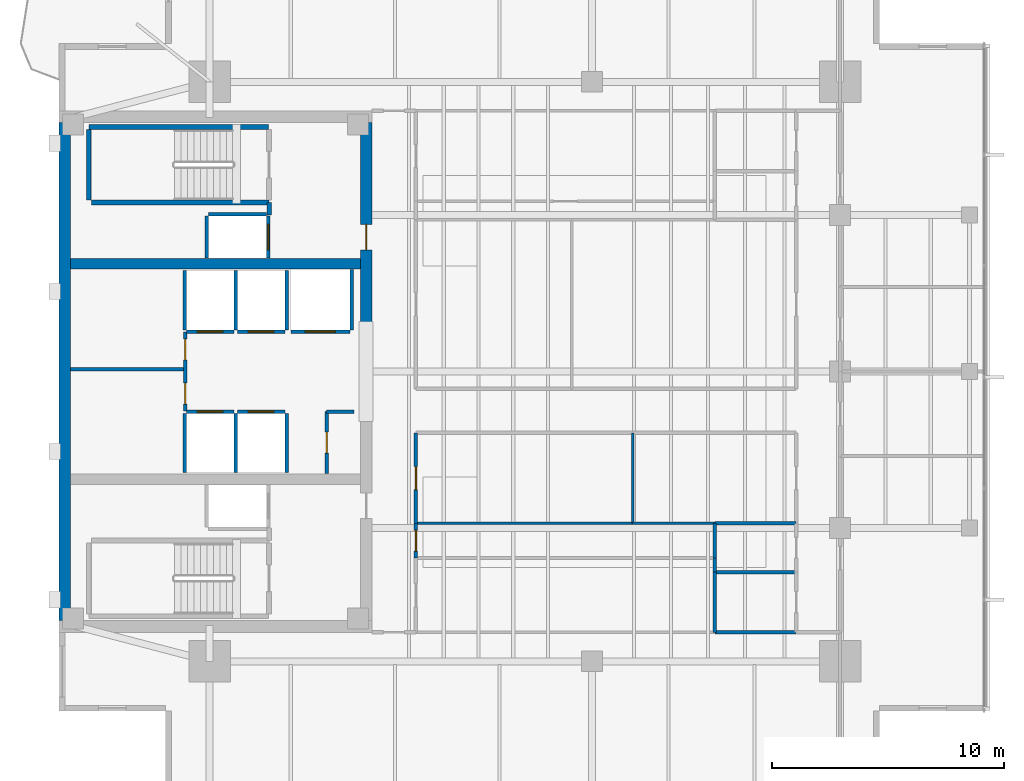
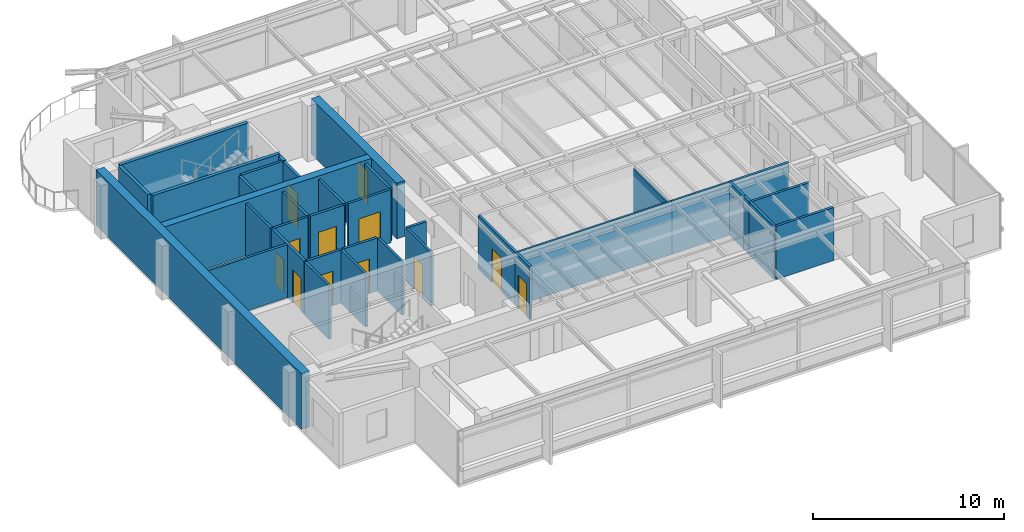
# One storey, part 8 of 14: 37 walls, 12 doors, 12 openings.
"""IFC4 building model written with IfcOpenShell, lengths in metres."""

from ifc_helpers import new_model, si_unit, direction, frame, frame_2d, origin, place, context, subcontext, project, spatial, rectangle, extrude, material, layer, layer_set, type_object, element, fill, save


model = new_model("IFC4")

# Units and contexts
model_context = context("Model", 3, precision=1e-05, world=origin(), true_north=direction((0.0, 1.0)))
body_context = subcontext(model_context, "Body", "Model", "MODEL_VIEW")
ifc_project = project(units=[si_unit("LENGTHUNIT", "METRE"), si_unit("AREAUNIT", "SQUARE_METRE"), si_unit("VOLUMEUNIT", "CUBIC_METRE"), si_unit("PLANEANGLEUNIT", "RADIAN"), si_unit("MASSUNIT", "GRAM", prefix="KILO")], contexts=[model_context])

# Site, building, storey
site_placement = place(None, origin())
site = spatial("IfcSite", under=ifc_project, at=site_placement, CompositionType="ELEMENT")
building_placement = place(site_placement, origin())
building = spatial("IfcBuilding", under=site, at=building_placement, Name="Kinhvarn Gate Tower", CompositionType="ELEMENT")
storey_placement = place(building_placement, frame((0.0, 0.0, 256.35009765625)))
storey = spatial("IfcBuildingStorey", under=building, at=storey_placement, Name="L68", CompositionType="ELEMENT", Elevation=256.35009765625)

# Wall
ifc_material_1 = material(Name="Concrete C50/60", Category="concrete")
ifc_layer_1 = layer(ifc_material_1, 0.449951171875)
ifc_layer_set_1 = layer_set([ifc_layer_1], Name="Concrete C50/60")
wall_type_1 = type_object("IfcWallType", Name="WL-CORE-450", PredefinedType="SHEAR", material=ifc_layer_set_1)
wall_1_placement = place(storey_placement, frame((5.0, 29.89990234375, 0.0), z_axis=(0.0, 0.0, 1.0), x_axis=(1.0, 0.0, 0.0)))
element("IfcWall", 1, at=wall_1_placement, inside=storey, type_object=wall_type_1, Name="Core North Spine Shear Wall L68 450 mm", PredefinedType="SHEAR", context=body_context, shape_type="SweptSolid", body=[
    extrude(rectangle(XDim=12.5, YDim=0.449951171875, at=frame_2d((6.25, 0.0))), origin(), (0.0, 0.0, 1.0), 3.5498046875),
])

# Wall, opening, door
ifc_layer_2 = layer(ifc_material_1, 0.5)
ifc_layer_set_2 = layer_set([ifc_layer_2], Name="Concrete C50/60")
wall_type_2 = type_object("IfcWallType", Name="WL-CORE-500", PredefinedType="SHEAR", material=ifc_layer_set_2)
wall_2_placement = place(storey_placement, frame((17.75, 27.050048828125, 0.0), z_axis=(0.0, 0.0, 1.0), x_axis=(0.0, 1.0, 0.0)))
wall_2 = element("IfcWall", 2, at=wall_2_placement, inside=storey, type_object=wall_type_2, Name="Core East-North Shear Pier L68 500 mm", PredefinedType="SHEAR", context=body_context, shape_type="SweptSolid", body=[
    extrude(rectangle(XDim=8.949951171875, YDim=0.5, at=frame_2d((4.47509765625, 0.0))), origin(), (0.0, 0.0, 1.0), 3.5498046875),
])
opening_1_placement = place(wall_2_placement, frame((3.449951171875, 0.0, 0.0)))
opening_1 = element("IfcOpeningElement", 3, at=opening_1_placement, cuts=wall_2, Name="Opening FD-02", PredefinedType="OPENING", context=body_context, shape_type="SweptSolid", body=[
    extrude(rectangle(XDim=1.10009765625, YDim=2.14990234375, at=frame_2d((0.550048828125, 1.074951171875))), frame((0.0, 0.260009765625, 0.0), z_axis=(0.0, -1.0, 0.0), x_axis=(1.0, 0.0, 0.0)), (0.0, 0.0, 1.0), 0.52001953125),
])
ifc_material_2 = material(Name="Anodised aluminium AW-6063", Category="aluminium")
door_type_1 = type_object("IfcDoorType", Name="DR-FD-1100", OperationType="NOTDEFINED", PredefinedType="DOOR", material=ifc_material_2)
door_1_placement = place(opening_1_placement, origin())
door_1 = element("IfcDoor", 4, at=door_1_placement, inside=storey, type_object=door_type_1, Name="Firefighting Lobby Core Door (L68)", OperationType="SINGLE_SWING_LEFT", OverallHeight=2.14990234375, OverallWidth=1.10009765625, PredefinedType="DOOR", context=body_context, shape_type="SweptSolid", body=[
    extrude(rectangle(XDim=1.10009765625, YDim=2.14990234375, at=frame_2d((0.550048828125, 1.074951171875))), frame((0.0, 0.02490234375, 0.0), z_axis=(0.0, -1.0, 0.0), x_axis=(1.0, 0.0, 0.0)), (0.0, 0.0, 1.0), 0.050048828125),
])
fill(opening_1, door_1)

# Walls
ifc_layer_3 = layer(ifc_material_1, 0.5)
ifc_layer_set_3 = layer_set([ifc_layer_3], Name="Concrete C50/60")
wall_type_3 = type_object("IfcWallType", Name="WL-COREX-500", PredefinedType="SHEAR", material=ifc_layer_set_3)
wall_3_placement = place(storey_placement, frame((4.75, 14.5, 0.0), z_axis=(0.0, 0.0, 1.0), x_axis=(0.0, 1.0, 0.0)))
element("IfcWall", 5, at=wall_3_placement, inside=storey, type_object=wall_type_3, Name="Core West Shear Wall L68 500 mm", PredefinedType="SHEAR", context=body_context, shape_type="SweptSolid", body=[
    extrude(rectangle(XDim=21.5, YDim=0.5, at=frame_2d((10.75, 0.0))), origin(), (0.0, 0.0, 1.0), 3.5498046875),
])
ifc_material_3 = material(Name="Gypsum acoustic partition board")
ifc_layer_4 = layer(ifc_material_3, 0.14990234375)
ifc_layer_set_4 = layer_set([ifc_layer_4], Name="Gypsum acoustic partition board")
wall_type_4 = type_object("IfcWallType", Name="WL-PLM-150", PredefinedType="PLUMBINGWALL", material=ifc_layer_set_4)
wall_4_placement = place(storey_placement, frame((32.800048828125, 16.60009765625, 0.0), z_axis=(0.0, 0.0, 1.0), x_axis=(1.0, 0.0, 0.0)))
element("IfcWall", 6, at=wall_4_placement, inside=storey, type_object=wall_type_4, Name="Interior Partition PLW-150 (L68)", PredefinedType="PLUMBINGWALL", context=body_context, shape_type="SweptSolid", body=[
    extrude(rectangle(XDim=3.5, YDim=0.14990234375, at=frame_2d((1.75, 0.0))), origin(), (0.0, 0.0, 1.0), 3.389892578125),
])
wall_5_placement = place(storey_placement, frame((32.800048828125, 14.0, 0.0), z_axis=(0.0, 0.0, 1.0), x_axis=(0.0, 1.0, 0.0)))
element("IfcWall", 7, at=wall_5_placement, inside=storey, type_object=wall_type_4, Name="Interior Partition PLW-150 (L68)", PredefinedType="PLUMBINGWALL", context=body_context, shape_type="SweptSolid", body=[
    extrude(rectangle(XDim=2.60009765625, YDim=0.14990234375, at=frame_2d((1.300048828125, 0.0))), origin(), (0.0, 0.0, 1.0), 3.389892578125),
])
wall_6_placement = place(storey_placement, frame((32.800048828125, 14.0, 0.0), z_axis=(0.0, 0.0, 1.0), x_axis=(1.0, 0.0, 0.0)))
element("IfcWall", 8, at=wall_6_placement, inside=storey, type_object=wall_type_4, Name="Interior Partition PLW-150 (L68)", PredefinedType="PLUMBINGWALL", context=body_context, shape_type="SweptSolid", body=[
    extrude(rectangle(XDim=3.5, YDim=0.14990234375, at=frame_2d((1.75, 0.0))), origin(), (0.0, 0.0, 1.0), 3.389892578125),
])
wall_7_placement = place(storey_placement, frame((32.800048828125, 16.60009765625, 0.0), z_axis=(0.0, 0.0, 1.0), x_axis=(0.0, 1.0, 0.0)))
element("IfcWall", 9, at=wall_7_placement, inside=storey, type_object=wall_type_4, Name="Interior Partition PLW-150 (L68)", PredefinedType="PLUMBINGWALL", context=body_context, shape_type="SweptSolid", body=[
    extrude(rectangle(XDim=0.599853515625, YDim=0.14990234375, at=frame_2d((0.2998046875, 0.0))), origin(), (0.0, 0.0, 1.0), 3.389892578125),
])
wall_8_placement = place(storey_placement, frame((32.800048828125, 17.199951171875, 0.0), z_axis=(0.0, 0.0, 1.0), x_axis=(0.0, 1.0, 0.0)))
element("IfcWall", 10, at=wall_8_placement, inside=storey, type_object=wall_type_4, Name="Interior Partition PLW-150 (L68)", PredefinedType="PLUMBINGWALL", context=body_context, shape_type="SweptSolid", body=[
    extrude(rectangle(XDim=1.5, YDim=0.14990234375, at=frame_2d((0.75, 0.0))), origin(), (0.0, 0.0, 1.0), 3.389892578125),
])
wall_9_placement = place(storey_placement, frame((32.800048828125, 18.699951171875, 0.0), z_axis=(0.0, 0.0, 1.0), x_axis=(1.0, 0.0, 0.0)))
element("IfcWall", 11, at=wall_9_placement, inside=storey, type_object=wall_type_4, Name="Interior Partition PLW-150 (L68)", PredefinedType="PLUMBINGWALL", context=body_context, shape_type="SweptSolid", body=[
    extrude(rectangle(XDim=3.5, YDim=0.14990234375, at=frame_2d((1.75, 0.0))), origin(), (0.0, 0.0, 1.0), 3.389892578125),
])
ifc_layer_5 = layer(ifc_material_3, 0.1201171875)
ifc_layer_set_5 = layer_set([ifc_layer_5], Name="Gypsum acoustic partition board")
wall_type_5 = type_object("IfcWallType", Name="WL-PRT-120", PredefinedType="PARTITIONING", material=ifc_layer_set_5)
wall_10_placement = place(storey_placement, frame((19.89990234375, 18.699951171875, 0.0), z_axis=(0.0, 0.0, 1.0), x_axis=(1.0, 0.0, 0.0)))
element("IfcWall", 12, at=wall_10_placement, inside=storey, type_object=wall_type_5, Name="Interior Partition PW-120 (L68)", PredefinedType="PARTITIONING", context=body_context, shape_type="SweptSolid", body=[
    extrude(rectangle(XDim=9.35009765625, YDim=0.1201171875, at=frame_2d((4.675048828125, 0.0))), origin(), (0.0, 0.0, 1.0), 3.389892578125),
])
wall_11_placement = place(storey_placement, frame((29.25, 18.699951171875, 0.0), z_axis=(0.0, 0.0, 1.0), x_axis=(1.0, 0.0, 0.0)))
element("IfcWall", 13, at=wall_11_placement, inside=storey, type_object=wall_type_5, Name="Interior Partition PW-120 (L68)", PredefinedType="PARTITIONING", context=body_context, shape_type="SweptSolid", body=[
    extrude(rectangle(XDim=3.550048828125, YDim=0.1201171875, at=frame_2d((1.77490234375, 0.0))), origin(), (0.0, 0.0, 1.0), 3.389892578125),
])
wall_12_placement = place(storey_placement, frame((29.25, 18.699951171875, 0.0), z_axis=(0.0, 0.0, 1.0), x_axis=(0.0, 1.0, 0.0)))
element("IfcWall", 14, at=wall_12_placement, inside=storey, type_object=wall_type_5, Name="Interior Partition PW-120 (L68)", PredefinedType="PARTITIONING", context=body_context, shape_type="SweptSolid", body=[
    extrude(rectangle(XDim=3.900146484375, YDim=0.1201171875, at=frame_2d((1.9501953125, 0.0))), origin(), (0.0, 0.0, 1.0), 3.119873046875),
])
ifc_layer_6 = layer(ifc_material_3, 0.14990234375)
ifc_layer_set_6 = layer_set([ifc_layer_6], Name="Gypsum acoustic partition board")
wall_type_6 = type_object("IfcWallType", Name="WL-PRT-150F", PredefinedType="PARTITIONING", material=ifc_layer_set_6)
wall_13_placement = place(storey_placement, frame((5.0, 25.35009765625, 0.0), z_axis=(0.0, 0.0, 1.0), x_axis=(1.0, 0.0, 0.0)))
element("IfcWall", 15, at=wall_13_placement, inside=storey, type_object=wall_type_6, Name="Interior Partition PW-150F (L68)", PredefinedType="PARTITIONING", context=body_context, shape_type="SweptSolid", body=[
    extrude(rectangle(XDim=4.949951171875, YDim=0.14990234375, at=frame_2d((2.47509765625, 0.0))), origin(), (0.0, 0.0, 1.0), 3.389892578125),
])

# Wall, openings, doors
wall_14_placement = place(storey_placement, frame((9.949951171875, 23.550048828125, 0.0), z_axis=(0.0, 0.0, 1.0), x_axis=(0.0, 1.0, 0.0)))
wall_14 = element("IfcWall", 16, at=wall_14_placement, inside=storey, type_object=wall_type_6, Name="Interior Partition PW-150F (L68)", PredefinedType="PARTITIONING", context=body_context, shape_type="SweptSolid", body=[
    extrude(rectangle(XDim=3.39990234375, YDim=0.14990234375, at=frame_2d((1.699951171875, 0.0))), origin(), (0.0, 0.0, 1.0), 3.389892578125),
])
opening_2_placement = place(wall_14_placement, frame((0.298095703125, 0.0, 0.0)))
opening_2 = element("IfcOpeningElement", 17, at=opening_2_placement, cuts=wall_14, Name="Opening FD-04", PredefinedType="OPENING", context=body_context, shape_type="SweptSolid", body=[
    extrude(rectangle(XDim=0.89990234375, YDim=2.10009765625, at=frame_2d((0.449951171875, 1.050048828125))), frame((0.0, 0.0849609375, 0.0), z_axis=(0.0, -1.0, 0.0), x_axis=(1.0, 0.0, 0.0)), (0.0, 0.0, 1.0), 0.169921875),
])
opening_3_placement = place(wall_14_placement, frame((2.201904296875, 0.0, 0.0)))
opening_3 = element("IfcOpeningElement", 18, at=opening_3_placement, cuts=wall_14, Name="Opening FD-04", PredefinedType="OPENING", context=body_context, shape_type="SweptSolid", body=[
    extrude(rectangle(XDim=0.89990234375, YDim=2.10009765625, at=frame_2d((0.449951171875, 1.050048828125))), frame((0.0, 0.0849609375, 0.0), z_axis=(0.0, -1.0, 0.0), x_axis=(1.0, 0.0, 0.0)), (0.0, 0.0, 1.0), 0.169921875),
])
door_type_2 = type_object("IfcDoorType", Name="DR-FD-900", OperationType="NOTDEFINED", PredefinedType="DOOR", material=ifc_material_2)
door_2_placement = place(opening_2_placement, origin())
door_2 = element("IfcDoor", 19, at=door_2_placement, inside=storey, type_object=door_type_2, Name="Rated Riser & Service Closet Fire Door 900x2100 mm (L68)", OperationType="SINGLE_SWING_LEFT", OverallHeight=2.10009765625, OverallWidth=0.89990234375, PredefinedType="DOOR", context=body_context, shape_type="SweptSolid", body=[
    extrude(rectangle(XDim=0.89990234375, YDim=2.10009765625, at=frame_2d((0.449951171875, 1.050048828125))), frame((0.0, 0.02490234375, 0.0), z_axis=(0.0, -1.0, 0.0), x_axis=(1.0, 0.0, 0.0)), (0.0, 0.0, 1.0), 0.050048828125),
])
fill(opening_2, door_2)
door_3_placement = place(opening_3_placement, origin())
door_3 = element("IfcDoor", 20, at=door_3_placement, inside=storey, type_object=door_type_2, Name="Rated Riser & Service Closet Fire Door 900x2100 mm (L68)", OperationType="SINGLE_SWING_RIGHT", OverallHeight=2.10009765625, OverallWidth=0.89990234375, PredefinedType="DOOR", context=body_context, shape_type="SweptSolid", body=[
    extrude(rectangle(XDim=0.89990234375, YDim=2.10009765625, at=frame_2d((0.449951171875, 1.050048828125))), frame((0.0, 0.02490234375, 0.0), z_axis=(0.0, -1.0, 0.0), x_axis=(1.0, 0.0, 0.0)), (0.0, 0.0, 1.0), 0.050048828125),
])
fill(opening_3, door_3)

# Wall, opening, door
wall_15_placement = place(storey_placement, frame((16.050048828125, 20.85009765625, 0.0), z_axis=(0.0, 0.0, 1.0), x_axis=(0.0, 1.0, 0.0)))
wall_15 = element("IfcWall", 21, at=wall_15_placement, inside=storey, type_object=wall_type_6, Name="Interior Partition PW-150F (L68)", PredefinedType="PARTITIONING", context=body_context, shape_type="SweptSolid", body=[
    extrude(rectangle(XDim=2.669921875, YDim=0.14990234375, at=frame_2d((1.3349609375, 0.0))), origin(), (0.0, 0.0, 1.0), 3.389892578125),
])
opening_4_placement = place(wall_15_placement, frame((0.885009765625, 0.0, 0.0)))
opening_4 = element("IfcOpeningElement", 22, at=opening_4_placement, cuts=wall_15, Name="Opening FD-04", PredefinedType="OPENING", context=body_context, shape_type="SweptSolid", body=[
    extrude(rectangle(XDim=0.89990234375, YDim=2.10009765625, at=frame_2d((0.449951171875, 1.050048828125))), frame((0.0, 0.0849609375, 0.0), z_axis=(0.0, -1.0, 0.0), x_axis=(1.0, 0.0, 0.0)), (0.0, 0.0, 1.0), 0.169921875),
])
door_4_placement = place(opening_4_placement, origin())
door_4 = element("IfcDoor", 23, at=door_4_placement, inside=storey, type_object=door_type_2, Name="Rated Riser & Service Closet Fire Door 900x2100 mm (L68)", OperationType="SINGLE_SWING_LEFT", OverallHeight=2.10009765625, OverallWidth=0.89990234375, PredefinedType="DOOR", context=body_context, shape_type="SweptSolid", body=[
    extrude(rectangle(XDim=0.89990234375, YDim=2.10009765625, at=frame_2d((0.449951171875, 1.050048828125))), frame((0.0, 0.02490234375, 0.0), z_axis=(0.0, -1.0, 0.0), x_axis=(1.0, 0.0, 0.0)), (0.0, 0.0, 1.0), 0.050048828125),
])
fill(opening_4, door_4)

# Wall
wall_16_placement = place(storey_placement, frame((16.050048828125, 23.52001953125, 0.0), z_axis=(0.0, 0.0, 1.0), x_axis=(1.0, 0.0, 0.0)))
element("IfcWall", 24, at=wall_16_placement, inside=storey, type_object=wall_type_6, Name="Interior Partition PW-150F (L68)", PredefinedType="PARTITIONING", context=body_context, shape_type="SweptSolid", body=[
    extrude(rectangle(XDim=1.169921875, YDim=0.14990234375, at=frame_2d((0.5849609375, 0.0))), origin(), (0.0, 0.0, 1.0), 3.389892578125),
])

# Wall, opening, door
wall_17_placement = place(storey_placement, frame((19.89990234375, 17.199951171875, 0.0), z_axis=(0.0, 0.0, 1.0), x_axis=(0.0, 1.0, 0.0)))
wall_17 = element("IfcWall", 25, at=wall_17_placement, inside=storey, type_object=wall_type_6, Name="Interior Partition PW-150F (L68)", PredefinedType="PARTITIONING", context=body_context, shape_type="SweptSolid", body=[
    extrude(rectangle(XDim=1.5, YDim=0.14990234375, at=frame_2d((0.75, 0.0))), origin(), (0.0, 0.0, 1.0), 3.389892578125),
])
opening_5_placement = place(wall_17_placement, frame((0.300048828125, 0.0, 0.0)))
opening_5 = element("IfcOpeningElement", 26, at=opening_5_placement, cuts=wall_17, Name="Opening ID-03", PredefinedType="OPENING", context=body_context, shape_type="SweptSolid", body=[
    extrude(rectangle(XDim=0.89990234375, YDim=2.10009765625, at=frame_2d((0.449951171875, 1.050048828125))), frame((0.0, 0.0849609375, 0.0), z_axis=(0.0, -1.0, 0.0), x_axis=(1.0, 0.0, 0.0)), (0.0, 0.0, 1.0), 0.169921875),
])
door_type_3 = type_object("IfcDoorType", Name="DR-INT-900", OperationType="NOTDEFINED", PredefinedType="DOOR", material=ifc_material_2)
door_5_placement = place(opening_5_placement, origin())
door_5 = element("IfcDoor", 27, at=door_5_placement, inside=storey, type_object=door_type_3, Name="Cellular Office & Restroom Door 900x2100 mm (L68)", OperationType="SINGLE_SWING_LEFT", OverallHeight=2.10009765625, OverallWidth=0.89990234375, PredefinedType="DOOR", context=body_context, shape_type="SweptSolid", body=[
    extrude(rectangle(XDim=0.89990234375, YDim=2.10009765625, at=frame_2d((0.449951171875, 1.050048828125))), frame((0.0, 0.02490234375, 0.0), z_axis=(0.0, -1.0, 0.0), x_axis=(1.0, 0.0, 0.0)), (0.0, 0.0, 1.0), 0.050048828125),
])
fill(opening_5, door_5)

wall_18_placement = place(storey_placement, frame((19.89990234375, 18.699951171875, 0.0), z_axis=(0.0, 0.0, 1.0), x_axis=(0.0, 1.0, 0.0)))
wall_18 = element("IfcWall", 28, at=wall_18_placement, inside=storey, type_object=wall_type_6, Name="Interior Partition PW-150F (L68)", PredefinedType="PARTITIONING", context=body_context, shape_type="SweptSolid", body=[
    extrude(rectangle(XDim=3.900146484375, YDim=0.14990234375, at=frame_2d((1.9501953125, 0.0))), origin(), (0.0, 0.0, 1.0), 3.389892578125),
])
opening_6_placement = place(wall_18_placement, frame((1.449951171875, 0.0, 0.0)))
opening_6 = element("IfcOpeningElement", 29, at=opening_6_placement, cuts=wall_18, Name="Opening ID-02", PredefinedType="OPENING", context=body_context, shape_type="SweptSolid", body=[
    extrude(rectangle(XDim=1.0, YDim=2.14990234375, at=frame_2d((0.5, 1.074951171875))), frame((0.0, 0.0849609375, 0.0), z_axis=(0.0, -1.0, 0.0), x_axis=(1.0, 0.0, 0.0)), (0.0, 0.0, 1.0), 0.169921875),
])
door_type_4 = type_object("IfcDoorType", Name="DR-INT-1000", OperationType="NOTDEFINED", PredefinedType="DOOR", material=ifc_material_2)
door_6_placement = place(opening_6_placement, origin())
door_6 = element("IfcDoor", 30, at=door_6_placement, inside=storey, type_object=door_type_4, Name="Standard Office & Meeting Room Door 1000x2150 mm (L68)", OperationType="SINGLE_SWING_LEFT", OverallHeight=2.14990234375, OverallWidth=1.0, PredefinedType="DOOR", context=body_context, shape_type="SweptSolid", body=[
    extrude(rectangle(XDim=1.0, YDim=2.14990234375, at=frame_2d((0.5, 1.074951171875))), frame((0.0, 0.02490234375, 0.0), z_axis=(0.0, -1.0, 0.0), x_axis=(1.0, 0.0, 0.0)), (0.0, 0.0, 1.0), 0.050048828125),
])
fill(opening_6, door_6)

# Wall
ifc_layer_7 = layer(ifc_material_3, 0.199951171875)
ifc_layer_set_7 = layer_set([ifc_layer_7], Name="Gypsum acoustic partition board")
wall_type_7 = type_object("IfcWallType", Name="WL-PRT-200", PredefinedType="PARTITIONING", material=ifc_layer_set_7)
wall_19_placement = place(storey_placement, frame((13.580078125, 32.0, 0.0), z_axis=(0.0, 0.0, 1.0), x_axis=(0.0, 1.0, 0.0)))
element("IfcWall", 31, at=wall_19_placement, inside=storey, type_object=wall_type_7, Name="Interior Partition PW-200 (L68)", PredefinedType="PARTITIONING", context=body_context, shape_type="SweptSolid", body=[
    extrude(rectangle(XDim=0.5400390625, YDim=0.199951171875, at=frame_2d((0.27001953125, 0.0))), origin(), (0.0, 0.0, 1.0), 3.389892578125),
])

# Wall, opening, door
ifc_layer_8 = layer(ifc_material_3, 0.14990234375)
ifc_layer_set_8 = layer_set([ifc_layer_8], Name="Gypsum acoustic partition board")
wall_type_8 = type_object("IfcWallType", Name="WL-SHF-150", PredefinedType="PARTITIONING", material=ifc_layer_set_8)
wall_20_placement = place(storey_placement, frame((10.0, 23.52490234375, 0.0), z_axis=(0.0, 0.0, 1.0), x_axis=(1.0, 0.0, 0.0)))
wall_20 = element("IfcWall", 32, at=wall_20_placement, inside=storey, type_object=wall_type_8, Name="Elevator PH-09 Landing Wall (L68)", PredefinedType="PARTITIONING", context=body_context, shape_type="SweptSolid", body=[
    extrude(rectangle(XDim=2.050048828125, YDim=0.14990234375, at=frame_2d((1.02490234375, 0.0))), origin(), (0.0, 0.0, 1.0), 3.389892578125),
])
opening_7_placement = place(wall_20_placement, frame((0.47509765625, 0.0, 0.0)))
opening_7 = element("IfcOpeningElement", 33, at=opening_7_placement, cuts=wall_20, Name="Opening LD-01", PredefinedType="OPENING", context=body_context, shape_type="SweptSolid", body=[
    extrude(rectangle(XDim=1.10009765625, YDim=2.199951171875, at=frame_2d((0.550048828125, 1.10009765625))), frame((0.0, 0.0849609375, 0.0), z_axis=(0.0, -1.0, 0.0), x_axis=(1.0, 0.0, 0.0)), (0.0, 0.0, 1.0), 0.169921875),
])
door_type_5 = type_object("IfcDoorType", Name="DR-LND-PAS", OperationType="NOTDEFINED", PredefinedType="DOOR", material=ifc_material_2)
door_7_placement = place(opening_7_placement, origin())
door_7 = element("IfcDoor", 34, at=door_7_placement, inside=storey, type_object=door_type_5, Name="Elevator PH-09 Sliding Landing Door (L68)", OperationType="DOUBLE_DOOR_SLIDING", OverallHeight=2.199951171875, OverallWidth=1.10009765625, PredefinedType="DOOR", context=body_context, shape_type="SweptSolid", body=[
    extrude(rectangle(XDim=1.10009765625, YDim=2.199951171875, at=frame_2d((0.550048828125, 1.10009765625))), frame((0.0, 0.02490234375, 0.0), z_axis=(0.0, -1.0, 0.0), x_axis=(1.0, 0.0, 0.0)), (0.0, 0.0, 1.0), 0.050048828125),
])
fill(opening_7, door_7)

# Walls
for number, where, z_axis, x_axis, name in (
    (35, (9.925048828125, 20.89990234375, 0.0), (0.0, 0.0, 1.0), (0.0, 1.0, 0.0), "Elevator PH-09 Hoistway Wall W (L68)"),
    (36, (12.125, 20.89990234375, 0.0), (0.0, 0.0, 1.0), (0.0, 1.0, 0.0), "Elevator PH-09 Hoistway Wall E (L68)"),
):
    element("IfcWall", number, at=place(storey_placement, frame(where, z_axis=z_axis, x_axis=x_axis)), inside=storey, type_object=wall_type_8, Name=name, PredefinedType="PARTITIONING", context=body_context, shape_type="SweptSolid", body=[
        extrude(rectangle(XDim=2.550048828125, YDim=0.14990234375, at=frame_2d((1.27490234375, 0.0))), origin(), (0.0, 0.0, 1.0), 3.389892578125),
    ])

# Wall, opening, door
wall_21_placement = place(storey_placement, frame((12.199951171875, 23.52490234375, 0.0), z_axis=(0.0, 0.0, 1.0), x_axis=(1.0, 0.0, 0.0)))
wall_21 = element("IfcWall", 37, at=wall_21_placement, inside=storey, type_object=wall_type_8, Name="Elevator PH-10 Landing Wall (L68)", PredefinedType="PARTITIONING", context=body_context, shape_type="SweptSolid", body=[
    extrude(rectangle(XDim=2.050048828125, YDim=0.14990234375, at=frame_2d((1.02490234375, 0.0))), origin(), (0.0, 0.0, 1.0), 3.389892578125),
])
opening_8_placement = place(wall_21_placement, frame((0.47509765625, 0.0, 0.0)))
opening_8 = element("IfcOpeningElement", 38, at=opening_8_placement, cuts=wall_21, Name="Opening LD-01", PredefinedType="OPENING", context=body_context, shape_type="SweptSolid", body=[
    extrude(rectangle(XDim=1.10009765625, YDim=2.199951171875, at=frame_2d((0.550048828125, 1.10009765625))), frame((0.0, 0.0849609375, 0.0), z_axis=(0.0, -1.0, 0.0), x_axis=(1.0, 0.0, 0.0)), (0.0, 0.0, 1.0), 0.169921875),
])
door_8_placement = place(opening_8_placement, origin())
door_8 = element("IfcDoor", 39, at=door_8_placement, inside=storey, type_object=door_type_5, Name="Elevator PH-10 Sliding Landing Door (L68)", OperationType="DOUBLE_DOOR_SLIDING", OverallHeight=2.199951171875, OverallWidth=1.10009765625, PredefinedType="DOOR", context=body_context, shape_type="SweptSolid", body=[
    extrude(rectangle(XDim=1.10009765625, YDim=2.199951171875, at=frame_2d((0.550048828125, 1.10009765625))), frame((0.0, 0.02490234375, 0.0), z_axis=(0.0, -1.0, 0.0), x_axis=(1.0, 0.0, 0.0)), (0.0, 0.0, 1.0), 0.050048828125),
])
fill(opening_8, door_8)

# Wall
wall_22_placement = place(storey_placement, frame((14.324951171875, 20.89990234375, 0.0), z_axis=(0.0, 0.0, 1.0), x_axis=(0.0, 1.0, 0.0)))
element("IfcWall", 40, at=wall_22_placement, inside=storey, type_object=wall_type_8, Name="Elevator PH-10 Hoistway Wall E (L68)", PredefinedType="PARTITIONING", context=body_context, shape_type="SweptSolid", body=[
    extrude(rectangle(XDim=2.550048828125, YDim=0.14990234375, at=frame_2d((1.27490234375, 0.0))), origin(), (0.0, 0.0, 1.0), 3.389892578125),
])

# Wall, opening, door
wall_23_placement = place(storey_placement, frame((10.0, 26.97509765625, 0.0), z_axis=(0.0, 0.0, 1.0), x_axis=(1.0, 0.0, 0.0)))
wall_23 = element("IfcWall", 41, at=wall_23_placement, inside=storey, type_object=wall_type_8, Name="Elevator PH-11 Landing Wall (L68)", PredefinedType="PARTITIONING", context=body_context, shape_type="SweptSolid", body=[
    extrude(rectangle(XDim=2.050048828125, YDim=0.14990234375, at=frame_2d((1.02490234375, 0.0))), origin(), (0.0, 0.0, 1.0), 3.389892578125),
])
opening_9_placement = place(wall_23_placement, frame((0.47509765625, 0.0, 0.0)))
opening_9 = element("IfcOpeningElement", 42, at=opening_9_placement, cuts=wall_23, Name="Opening LD-01", PredefinedType="OPENING", context=body_context, shape_type="SweptSolid", body=[
    extrude(rectangle(XDim=1.10009765625, YDim=2.199951171875, at=frame_2d((0.550048828125, 1.10009765625))), frame((0.0, 0.0849609375, 0.0), z_axis=(0.0, -1.0, 0.0), x_axis=(1.0, 0.0, 0.0)), (0.0, 0.0, 1.0), 0.169921875),
])
door_9_placement = place(opening_9_placement, origin())
door_9 = element("IfcDoor", 43, at=door_9_placement, inside=storey, type_object=door_type_5, Name="Elevator PH-11 Sliding Landing Door (L68)", OperationType="DOUBLE_DOOR_SLIDING", OverallHeight=2.199951171875, OverallWidth=1.10009765625, PredefinedType="DOOR", context=body_context, shape_type="SweptSolid", body=[
    extrude(rectangle(XDim=1.10009765625, YDim=2.199951171875, at=frame_2d((0.550048828125, 1.10009765625))), frame((0.0, 0.02490234375, 0.0), z_axis=(0.0, -1.0, 0.0), x_axis=(1.0, 0.0, 0.0)), (0.0, 0.0, 1.0), 0.050048828125),
])
fill(opening_9, door_9)

# Walls
for number, where, z_axis, x_axis, name in (
    (44, (9.925048828125, 27.050048828125, 0.0), (0.0, 0.0, 1.0), (0.0, 1.0, 0.0), "Elevator PH-11 Hoistway Wall W (L68)"),
    (45, (12.125, 27.050048828125, 0.0), (0.0, 0.0, 1.0), (0.0, 1.0, 0.0), "Elevator PH-11 Hoistway Wall E (L68)"),
):
    element("IfcWall", number, at=place(storey_placement, frame(where, z_axis=z_axis, x_axis=x_axis)), inside=storey, type_object=wall_type_8, Name=name, PredefinedType="PARTITIONING", context=body_context, shape_type="SweptSolid", body=[
        extrude(rectangle(XDim=2.550048828125, YDim=0.14990234375, at=frame_2d((1.27490234375, 0.0))), origin(), (0.0, 0.0, 1.0), 3.389892578125),
    ])

# Wall, opening, door
wall_24_placement = place(storey_placement, frame((12.199951171875, 26.97509765625, 0.0), z_axis=(0.0, 0.0, 1.0), x_axis=(1.0, 0.0, 0.0)))
wall_24 = element("IfcWall", 46, at=wall_24_placement, inside=storey, type_object=wall_type_8, Name="Elevator PH-12 Landing Wall (L68)", PredefinedType="PARTITIONING", context=body_context, shape_type="SweptSolid", body=[
    extrude(rectangle(XDim=2.050048828125, YDim=0.14990234375, at=frame_2d((1.02490234375, 0.0))), origin(), (0.0, 0.0, 1.0), 3.389892578125),
])
opening_10_placement = place(wall_24_placement, frame((0.47509765625, 0.0, 0.0)))
opening_10 = element("IfcOpeningElement", 47, at=opening_10_placement, cuts=wall_24, Name="Opening LD-01", PredefinedType="OPENING", context=body_context, shape_type="SweptSolid", body=[
    extrude(rectangle(XDim=1.10009765625, YDim=2.199951171875, at=frame_2d((0.550048828125, 1.10009765625))), frame((0.0, 0.0849609375, 0.0), z_axis=(0.0, -1.0, 0.0), x_axis=(1.0, 0.0, 0.0)), (0.0, 0.0, 1.0), 0.169921875),
])
door_10_placement = place(opening_10_placement, origin())
door_10 = element("IfcDoor", 48, at=door_10_placement, inside=storey, type_object=door_type_5, Name="Elevator PH-12 Sliding Landing Door (L68)", OperationType="DOUBLE_DOOR_SLIDING", OverallHeight=2.199951171875, OverallWidth=1.10009765625, PredefinedType="DOOR", context=body_context, shape_type="SweptSolid", body=[
    extrude(rectangle(XDim=1.10009765625, YDim=2.199951171875, at=frame_2d((0.550048828125, 1.10009765625))), frame((0.0, 0.02490234375, 0.0), z_axis=(0.0, -1.0, 0.0), x_axis=(1.0, 0.0, 0.0)), (0.0, 0.0, 1.0), 0.050048828125),
])
fill(opening_10, door_10)

# Wall
wall_25_placement = place(storey_placement, frame((14.324951171875, 27.050048828125, 0.0), z_axis=(0.0, 0.0, 1.0), x_axis=(0.0, 1.0, 0.0)))
element("IfcWall", 49, at=wall_25_placement, inside=storey, type_object=wall_type_8, Name="Elevator PH-12 Hoistway Wall E (L68)", PredefinedType="PARTITIONING", context=body_context, shape_type="SweptSolid", body=[
    extrude(rectangle(XDim=2.550048828125, YDim=0.14990234375, at=frame_2d((1.27490234375, 0.0))), origin(), (0.0, 0.0, 1.0), 3.389892578125),
])

# Wall, opening, door
wall_26_placement = place(storey_placement, frame((14.5, 26.97509765625, 0.0), z_axis=(0.0, 0.0, 1.0), x_axis=(1.0, 0.0, 0.0)))
wall_26 = element("IfcWall", 50, at=wall_26_placement, inside=storey, type_object=wall_type_8, Name="Elevator SV-01 Landing Wall (L68)", PredefinedType="PARTITIONING", context=body_context, shape_type="SweptSolid", body=[
    extrude(rectangle(XDim=2.550048828125, YDim=0.14990234375, at=frame_2d((1.27490234375, 0.0))), origin(), (0.0, 0.0, 1.0), 3.389892578125),
])
opening_11_placement = place(wall_26_placement, frame((0.625, 0.0, 0.0)))
opening_11 = element("IfcOpeningElement", 51, at=opening_11_placement, cuts=wall_26, Name="Opening LD-02", PredefinedType="OPENING", context=body_context, shape_type="SweptSolid", body=[
    extrude(rectangle(XDim=1.300048828125, YDim=2.199951171875, at=frame_2d((0.64990234375, 1.10009765625))), frame((0.0, 0.0849609375, 0.0), z_axis=(0.0, -1.0, 0.0), x_axis=(1.0, 0.0, 0.0)), (0.0, 0.0, 1.0), 0.169921875),
])
door_type_6 = type_object("IfcDoorType", Name="DR-LND-SRV", OperationType="NOTDEFINED", PredefinedType="DOOR", material=ifc_material_2)
door_11_placement = place(opening_11_placement, origin())
door_11 = element("IfcDoor", 52, at=door_11_placement, inside=storey, type_object=door_type_6, Name="Elevator SV-01 Sliding Landing Door (L68)", OperationType="DOUBLE_DOOR_SLIDING", OverallHeight=2.199951171875, OverallWidth=1.300048828125, PredefinedType="DOOR", context=body_context, shape_type="SweptSolid", body=[
    extrude(rectangle(XDim=1.300048828125, YDim=2.199951171875, at=frame_2d((0.64990234375, 1.10009765625))), frame((0.0, 0.02490234375, 0.0), z_axis=(0.0, -1.0, 0.0), x_axis=(1.0, 0.0, 0.0)), (0.0, 0.0, 1.0), 0.050048828125),
])
fill(opening_11, door_11)

# Walls
wall_27_placement = place(storey_placement, frame((17.125, 27.050048828125, 0.0), z_axis=(0.0, 0.0, 1.0), x_axis=(0.0, 1.0, 0.0)))
element("IfcWall", 53, at=wall_27_placement, inside=storey, type_object=wall_type_8, Name="Elevator SV-01 Hoistway Wall E (L68)", PredefinedType="PARTITIONING", context=body_context, shape_type="SweptSolid", body=[
    extrude(rectangle(XDim=2.599853515625, YDim=0.14990234375, at=frame_2d((1.2998046875, 0.0))), origin(), (0.0, 0.0, 1.0), 3.389892578125),
])
wall_28_placement = place(storey_placement, frame((10.949951171875, 32.02490234375, 0.0), z_axis=(0.0, 0.0, 1.0), x_axis=(1.0, 0.0, 0.0)))
element("IfcWall", 54, at=wall_28_placement, inside=storey, type_object=wall_type_8, Name="Elevator FF2 Hoistway Wall N (L68)", PredefinedType="PARTITIONING", context=body_context, shape_type="SweptSolid", body=[
    extrude(rectangle(XDim=2.5, YDim=0.14990234375, at=frame_2d((1.25, 0.0))), origin(), (0.0, 0.0, 1.0), 3.389892578125),
])
wall_29_placement = place(storey_placement, frame((10.875, 30.14990234375, 0.0), z_axis=(0.0, 0.0, 1.0), x_axis=(0.0, 1.0, 0.0)))
element("IfcWall", 55, at=wall_29_placement, inside=storey, type_object=wall_type_8, Name="Elevator FF2 Hoistway Wall W (L68)", PredefinedType="PARTITIONING", context=body_context, shape_type="SweptSolid", body=[
    extrude(rectangle(XDim=1.800048828125, YDim=0.14990234375, at=frame_2d((0.89990234375, 0.0))), origin(), (0.0, 0.0, 1.0), 3.389892578125),
])

# Wall, opening, door
wall_30_placement = place(storey_placement, frame((13.52490234375, 30.14990234375, 0.0), z_axis=(0.0, 0.0, 1.0), x_axis=(0.0, 1.0, 0.0)))
wall_30 = element("IfcWall", 56, at=wall_30_placement, inside=storey, type_object=wall_type_8, Name="Elevator FF2 Landing Wall (L68)", PredefinedType="PARTITIONING", context=body_context, shape_type="SweptSolid", body=[
    extrude(rectangle(XDim=1.800048828125, YDim=0.14990234375, at=frame_2d((0.89990234375, 0.0))), origin(), (0.0, 0.0, 1.0), 3.389892578125),
])
opening_12_placement = place(wall_30_placement, frame((0.35009765625, 0.0, 0.0)))
opening_12 = element("IfcOpeningElement", 57, at=opening_12_placement, cuts=wall_30, Name="Opening LD-03", PredefinedType="OPENING", context=body_context, shape_type="SweptSolid", body=[
    extrude(rectangle(XDim=1.10009765625, YDim=2.199951171875, at=frame_2d((0.550048828125, 1.10009765625))), frame((0.0, 0.0849609375, 0.0), z_axis=(0.0, -1.0, 0.0), x_axis=(1.0, 0.0, 0.0)), (0.0, 0.0, 1.0), 0.169921875),
])
door_type_7 = type_object("IfcDoorType", Name="DR-LND-FF", OperationType="NOTDEFINED", PredefinedType="DOOR", material=ifc_material_2)
door_12_placement = place(opening_12_placement, origin())
door_12 = element("IfcDoor", 58, at=door_12_placement, inside=storey, type_object=door_type_7, Name="Elevator FF2 Sliding Landing Door (L68)", OperationType="DOUBLE_DOOR_SLIDING", OverallHeight=2.199951171875, OverallWidth=1.10009765625, PredefinedType="DOOR", context=body_context, shape_type="SweptSolid", body=[
    extrude(rectangle(XDim=1.10009765625, YDim=2.199951171875, at=frame_2d((0.550048828125, 1.10009765625))), frame((0.0, 0.02490234375, 0.0), z_axis=(0.0, -1.0, 0.0), x_axis=(1.0, 0.0, 0.0)), (0.0, 0.0, 1.0), 0.050048828125),
])
fill(opening_12, door_12)

# Walls
ifc_material_4 = material(Name="Concrete C40/50", Category="concrete")
ifc_layer_9 = layer(ifc_material_4, 0.199951171875)
ifc_layer_set_9 = layer_set([ifc_layer_9], Name="Concrete C40/50")
wall_type_9 = type_object("IfcWallType", Name="WL-SHF-200", PredefinedType="SOLIDWALL", material=ifc_layer_set_9)
wall_31_placement = place(storey_placement, frame((5.800048828125, 35.800048828125, 0.0), z_axis=(0.0, 0.0, 1.0), x_axis=(1.0, 0.0, 0.0)))
element("IfcWall", 59, at=wall_31_placement, inside=storey, type_object=wall_type_9, Name="Stair ST2 North Shaft Wall (L68)", PredefinedType="SOLIDWALL", context=body_context, shape_type="SweptSolid", body=[
    extrude(rectangle(XDim=7.75, YDim=0.199951171875, at=frame_2d((3.875, 0.0))), origin(), (0.0, 0.0, 1.0), 3.5498046875),
])
wall_32_placement = place(storey_placement, frame((5.7900390625, 32.64990234375, 0.0), z_axis=(0.0, 0.0, 1.0), x_axis=(0.0, 1.0, 0.0)))
element("IfcWall", 60, at=wall_32_placement, inside=storey, type_object=wall_type_9, Name="Stair ST2 West Shaft Wall (L68)", PredefinedType="SOLIDWALL", context=body_context, shape_type="SweptSolid", body=[
    extrude(rectangle(XDim=3.050048828125, YDim=0.199951171875, at=frame_2d((1.52490234375, 0.0))), origin(), (0.0, 0.0, 1.0), 3.5498046875),
])
wall_33_placement = place(storey_placement, frame((5.89990234375, 32.5400390625, 0.0), z_axis=(0.0, 0.0, 1.0), x_axis=(1.0, 0.0, 0.0)))
element("IfcWall", 61, at=wall_33_placement, inside=storey, type_object=wall_type_9, Name="Stair ST2 South Shaft Wall (L68)", PredefinedType="SOLIDWALL", context=body_context, shape_type="SweptSolid", body=[
    extrude(rectangle(XDim=7.66015625, YDim=0.199951171875, at=frame_2d((3.830078125, 0.0))), origin(), (0.0, 0.0, 1.0), 3.5498046875),
])

save(model, "model.ifc")
